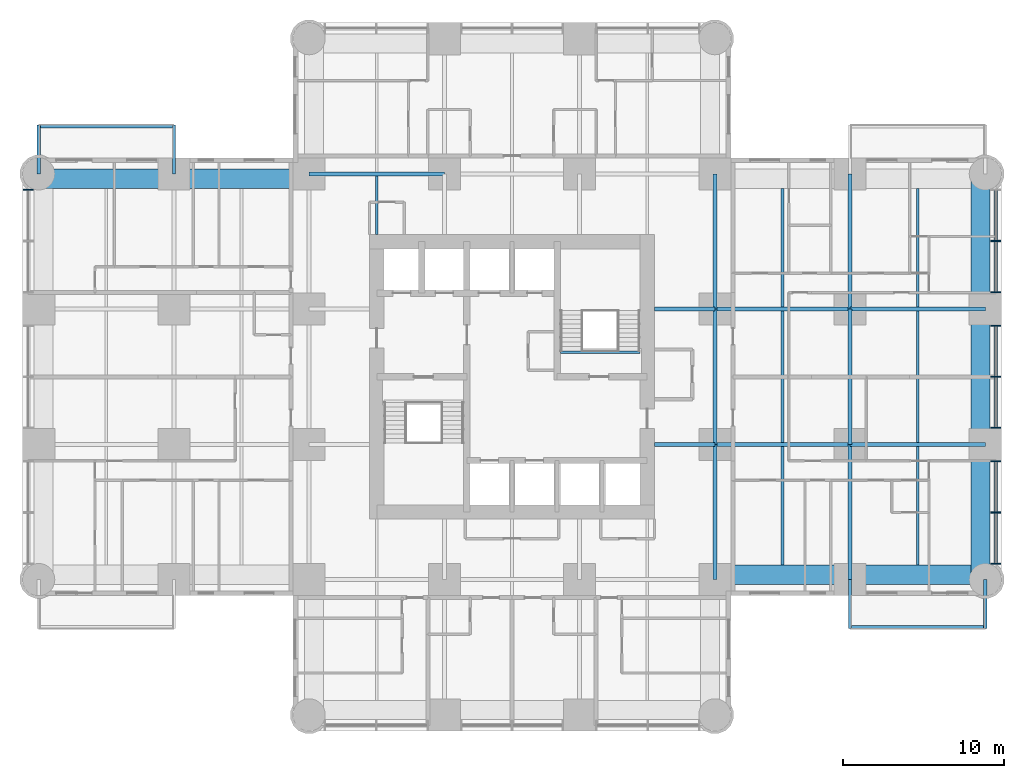
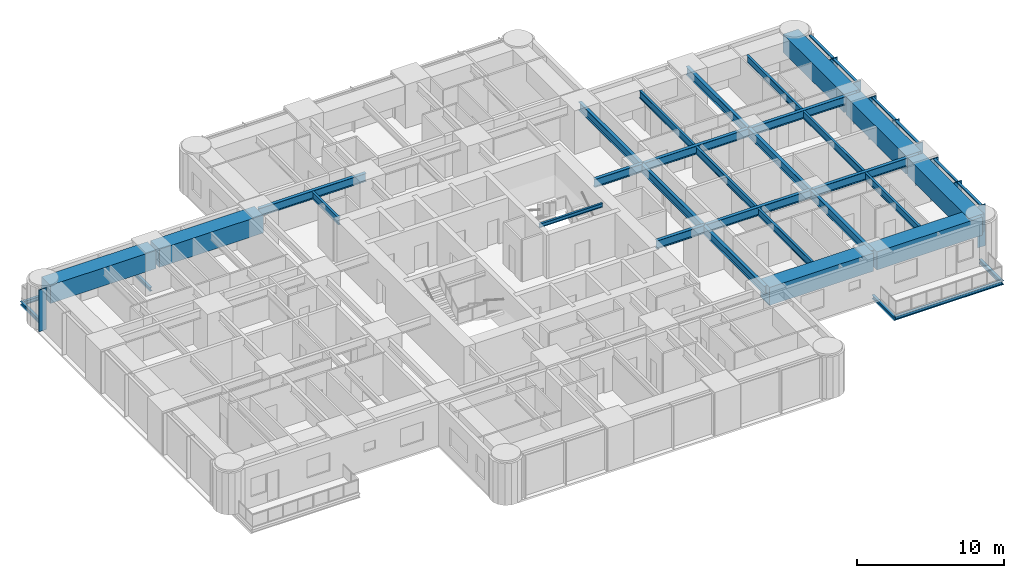
# One storey, part 3 of 14: 34 beams, 15 members, 2 elements without a shape of their own.
"""IFC4 building model written with IfcOpenShell, lengths in metres."""

from ifc_helpers import new_model, si_unit, direction, frame, origin, origin_2d, place, context, subcontext, project, spatial, rectangle, i_section, extrude, material, material_profile, profile_set, type_object, element, aggregate, save


model = new_model("IFC4")

# Units and contexts
model_context = context("Model", 3, precision=1e-05, world=origin(), true_north=direction((0.0, 1.0)))
body_context = subcontext(model_context, "Body", "Model", "MODEL_VIEW")
ifc_project = project(units=[si_unit("LENGTHUNIT", "METRE"), si_unit("AREAUNIT", "SQUARE_METRE"), si_unit("VOLUMEUNIT", "CUBIC_METRE"), si_unit("PLANEANGLEUNIT", "RADIAN"), si_unit("MASSUNIT", "GRAM", prefix="KILO")], contexts=[model_context])

# Site, building, storey
site_placement = place(None, origin())
site = spatial("IfcSite", under=ifc_project, at=site_placement, CompositionType="ELEMENT")
building_placement = place(site_placement, origin())
building = spatial("IfcBuilding", under=site, at=building_placement, Name="Torre Alcanfor", CompositionType="ELEMENT")
storey_placement = place(building_placement, frame((0.0, 0.0, 112.5)))
storey = spatial("IfcBuildingStorey", under=building, at=storey_placement, Name="L28", CompositionType="ELEMENT", Elevation=112.5)

# Beams
ifc_material_1 = material(Name="Steel ASTM A992 Grade 50", Category="steel")
ifc_material_profile_1 = material_profile(ifc_material_1, i_section(OverallWidth=0.205322265625, OverallDepth=0.309814453125, WebThickness=0.00927734375, FlangeThickness=0.016357421875, at=origin_2d()), Name="W12x50")
ifc_profile_set_1 = profile_set([ifc_material_profile_1], Name="Steel ASTM A992 Grade 50")
beam_type_1 = type_object("IfcBeamType", Name="Balcony cantilever beam W12x50", PredefinedType="BEAM", material=ifc_profile_set_1)
for number, where, z_axis, x_axis, name in (
    (1, (50.39990234375, 16.800048828125, -0.35498046875), (0.0, -1.0, 0.0), (1.0, 0.0, 0.0), "Balcony cantilever beam L28-E2 1"),
    (2, (58.800048828125, 16.800048828125, -0.35498046875), (0.0, -1.0, 0.0), (1.0, 0.0, 0.0), "Balcony cantilever beam L28-E2 2"),
    (3, (8.39990234375, 42.0, -0.35498046875), (0.0, 1.0, 0.0), (-1.0, 0.0, 0.0), "Balcony cantilever beam L28-W2 1"),
    (4, (0.0, 42.0, -0.35498046875), (0.0, 1.0, 0.0), (-1.0, 0.0, 0.0), "Balcony cantilever beam L28-W2 2"),
):
    element("IfcBeam", number, at=place(storey_placement, frame(where, z_axis=z_axis, x_axis=x_axis)), inside=storey, type_object=beam_type_1, Name=name, PredefinedType="BEAM", context=body_context, shape_type="SweptSolid", body=[
        extrude(i_section(OverallWidth=0.205322265625, OverallDepth=0.309814453125, WebThickness=0.00927734375, FlangeThickness=0.016357421875, at=origin_2d()), origin(), (0.0, 0.0, 1.0), 3.050048828125),
    ])
ifc_material_2 = material(Name="Steel ASTM A992 Grade 50", Category="steel")
ifc_material_profile_2 = material_profile(ifc_material_2, i_section(OverallWidth=0.203369140625, OverallDepth=0.30224609375, WebThickness=0.007568359375, FlangeThickness=0.01318359375, at=origin_2d()), Name="W12x40")
ifc_profile_set_2 = profile_set([ifc_material_profile_2], Name="Steel ASTM A992 Grade 50")
beam_type_2 = type_object("IfcBeamType", Name="Balcony edge trimmer W12x40", PredefinedType="BEAM", material=ifc_profile_set_2)
beam_1_placement = place(storey_placement, frame((50.39990234375, 13.851806640625, -0.35107421875), z_axis=(1.0, 0.0, 0.0), x_axis=(0.0, 1.0, 0.0)))
element("IfcBeam", 5, at=beam_1_placement, inside=storey, type_object=beam_type_2, Name="Balcony edge trimmer L28-E2", PredefinedType="BEAM", context=body_context, shape_type="SweptSolid", body=[
    extrude(i_section(OverallWidth=0.203369140625, OverallDepth=0.30224609375, WebThickness=0.007568359375, FlangeThickness=0.01318359375, at=origin_2d()), origin(), (0.0, 0.0, 1.0), 8.400146484375),
])
beam_2_placement = place(storey_placement, frame((8.39990234375, 44.9482421875, -0.35107421875), z_axis=(-1.0, 0.0, 0.0), x_axis=(0.0, -1.0, 0.0)))
element("IfcBeam", 6, at=beam_2_placement, inside=storey, type_object=beam_type_2, Name="Balcony edge trimmer L28-W2", PredefinedType="BEAM", context=body_context, shape_type="SweptSolid", body=[
    extrude(i_section(OverallWidth=0.203369140625, OverallDepth=0.30224609375, WebThickness=0.007568359375, FlangeThickness=0.01318359375, at=origin_2d()), origin(), (0.0, 0.0, 1.0), 8.39990234375),
])

# Curtain wall, member
ifc_material_3 = material(Name="Aluminium and glass", Category="aluminium")
curtain_wall_type = type_object("IfcCurtainWallType", Name="CW-A unitised apartment glazing with vertical FIN", PredefinedType="NOTDEFINED", material=ifc_material_3)
curtain_wall_1_placement = place(storey_placement, origin())
curtain_wall_1 = element("IfcCurtainWall", 7, at=curtain_wall_1_placement, inside=storey, type_object=curtain_wall_type, Name="Curtain wall CW-A L28 2", PredefinedType="NOTDEFINED")
ifc_material_4 = material(Name="Bronze anodised aluminium", Category="aluminium")
ifc_material_profile_3 = material_profile(ifc_material_4, rectangle(XDim=0.60009765625, YDim=0.06494140625, at=origin_2d()), Name="CW-A mullion 65x600")
ifc_profile_set_3 = profile_set([ifc_material_profile_3], Name="Bronze anodised aluminium")
member_type_1 = type_object("IfcMemberType", Name="CW-A mullion with vertical FIN 65x600", PredefinedType="MULLION", material=ifc_profile_set_3)
member_1_placement = place(storey_placement, frame((-0.64990234375, 41.025390625, 0.0), z_axis=(0.0, 0.0, 1.0), x_axis=(1.0, 0.0, 0.0)))
member_1 = element("IfcMember", 8, at=member_1_placement, type_object=member_type_1, Name="CW-A mullion 1.1", PredefinedType="MULLION", context=body_context, shape_type="SweptSolid", body=[
    extrude(rectangle(XDim=0.60009765625, YDim=0.06494140625, at=origin_2d()), origin(), (0.0, 0.0, 1.0), 3.449951171875),
])
aggregate(curtain_wall_1, [member_1])

# Curtain wall, members
curtain_wall_2_placement = place(storey_placement, origin())
curtain_wall_2 = element("IfcCurtainWall", 9, at=curtain_wall_2_placement, inside=storey, type_object=curtain_wall_type, Name="Curtain wall CW-A L28 8", PredefinedType="NOTDEFINED")
member_2_placement = place(storey_placement, frame((59.449951171875, 17.7744140625, 0.0), z_axis=(0.0, 0.0, 1.0), x_axis=(-1.0, 0.0, 0.0)))
member_2 = element("IfcMember", 10, at=member_2_placement, type_object=member_type_1, Name="CW-A mullion 1.1", PredefinedType="MULLION", context=body_context, shape_type="SweptSolid", body=[
    extrude(rectangle(XDim=0.60009765625, YDim=0.06494140625, at=origin_2d()), origin(), (0.0, 0.0, 1.0), 3.449951171875),
])
member_3_placement = place(storey_placement, frame((59.449951171875, 20.968505859375, 0.0), z_axis=(0.0, 0.0, 1.0), x_axis=(-1.0, 0.0, 0.0)))
member_3 = element("IfcMember", 11, at=member_3_placement, type_object=member_type_1, Name="CW-A mullion 1.2", PredefinedType="MULLION", context=body_context, shape_type="SweptSolid", body=[
    extrude(rectangle(XDim=0.60009765625, YDim=0.06494140625, at=origin_2d()), origin(), (0.0, 0.0, 1.0), 3.449951171875),
])
member_4_placement = place(storey_placement, frame((59.449951171875, 24.16259765625, 0.0), z_axis=(0.0, 0.0, 1.0), x_axis=(-1.0, 0.0, 0.0)))
member_4 = element("IfcMember", 12, at=member_4_placement, type_object=member_type_1, Name="CW-A mullion 1.3", PredefinedType="MULLION", context=body_context, shape_type="SweptSolid", body=[
    extrude(rectangle(XDim=0.60009765625, YDim=0.06494140625, at=origin_2d()), origin(), (0.0, 0.0, 1.0), 3.449951171875),
])
member_5_placement = place(storey_placement, frame((59.449951171875, 26.237548828125, 0.0), z_axis=(0.0, 0.0, 1.0), x_axis=(-1.0, 0.0, 0.0)))
member_5 = element("IfcMember", 13, at=member_5_placement, type_object=member_type_1, Name="CW-A mullion 2.1", PredefinedType="MULLION", context=body_context, shape_type="SweptSolid", body=[
    extrude(rectangle(XDim=0.60009765625, YDim=0.06494140625, at=origin_2d()), origin(), (0.0, 0.0, 1.0), 3.449951171875),
])
member_6_placement = place(storey_placement, frame((59.449951171875, 29.39990234375, 0.0), z_axis=(0.0, 0.0, 1.0), x_axis=(-1.0, 0.0, 0.0)))
member_6 = element("IfcMember", 14, at=member_6_placement, type_object=member_type_1, Name="CW-A mullion 2.2", PredefinedType="MULLION", context=body_context, shape_type="SweptSolid", body=[
    extrude(rectangle(XDim=0.60009765625, YDim=0.06494140625, at=origin_2d()), origin(), (0.0, 0.0, 1.0), 3.449951171875),
])
member_7_placement = place(storey_placement, frame((59.449951171875, 32.5625, 0.0), z_axis=(0.0, 0.0, 1.0), x_axis=(-1.0, 0.0, 0.0)))
member_7 = element("IfcMember", 15, at=member_7_placement, type_object=member_type_1, Name="CW-A mullion 2.3", PredefinedType="MULLION", context=body_context, shape_type="SweptSolid", body=[
    extrude(rectangle(XDim=0.60009765625, YDim=0.06494140625, at=origin_2d()), origin(), (0.0, 0.0, 1.0), 3.449951171875),
])
member_8_placement = place(storey_placement, frame((59.449951171875, 34.637451171875, 0.0), z_axis=(0.0, 0.0, 1.0), x_axis=(-1.0, 0.0, 0.0)))
member_8 = element("IfcMember", 16, at=member_8_placement, type_object=member_type_1, Name="CW-A mullion 3.1", PredefinedType="MULLION", context=body_context, shape_type="SweptSolid", body=[
    extrude(rectangle(XDim=0.60009765625, YDim=0.06494140625, at=origin_2d()), origin(), (0.0, 0.0, 1.0), 3.449951171875),
])
member_9_placement = place(storey_placement, frame((59.449951171875, 37.83154296875, 0.0), z_axis=(0.0, 0.0, 1.0), x_axis=(-1.0, 0.0, 0.0)))
member_9 = element("IfcMember", 17, at=member_9_placement, type_object=member_type_1, Name="CW-A mullion 3.2", PredefinedType="MULLION", context=body_context, shape_type="SweptSolid", body=[
    extrude(rectangle(XDim=0.60009765625, YDim=0.06494140625, at=origin_2d()), origin(), (0.0, 0.0, 1.0), 3.449951171875),
])
ifc_material_5 = material(Name="Extruded aluminium", Category="aluminium")
ifc_material_profile_4 = material_profile(ifc_material_5, rectangle(XDim=0.199951171875, YDim=0.06494140625, at=origin_2d()), Name="CW-A transom 200x65")
ifc_profile_set_4 = profile_set([ifc_material_profile_4], Name="Extruded aluminium")
member_type_2 = type_object("IfcMemberType", Name="CW-A transom 65x200", PredefinedType="USERDEFINED", material=ifc_profile_set_4)
member_10_placement = place(storey_placement, frame((59.449951171875, 17.806884765625, 3.41748046875), z_axis=(0.0, 1.0, 0.0), x_axis=(-1.0, 0.0, 0.0)))
member_10 = element("IfcMember", 18, at=member_10_placement, type_object=member_type_2, Name="CW-A transom 1.1.2", ObjectType="TRANSOM", PredefinedType="USERDEFINED", context=body_context, shape_type="SweptSolid", body=[
    extrude(rectangle(XDim=0.199951171875, YDim=0.06494140625, at=origin_2d()), origin(), (0.0, 0.0, 1.0), 3.129150390625),
])
member_11_placement = place(storey_placement, frame((59.449951171875, 21.0009765625, 3.41748046875), z_axis=(0.0, 1.0, 0.0), x_axis=(-1.0, 0.0, 0.0)))
member_11 = element("IfcMember", 19, at=member_11_placement, type_object=member_type_2, Name="CW-A transom 1.2.2", ObjectType="TRANSOM", PredefinedType="USERDEFINED", context=body_context, shape_type="SweptSolid", body=[
    extrude(rectangle(XDim=0.199951171875, YDim=0.06494140625, at=origin_2d()), origin(), (0.0, 0.0, 1.0), 3.12890625),
])
member_12_placement = place(storey_placement, frame((59.449951171875, 26.27001953125, 3.41748046875), z_axis=(0.0, 1.0, 0.0), x_axis=(-1.0, 0.0, 0.0)))
member_12 = element("IfcMember", 20, at=member_12_placement, type_object=member_type_2, Name="CW-A transom 2.1.2", ObjectType="TRANSOM", PredefinedType="USERDEFINED", context=body_context, shape_type="SweptSolid", body=[
    extrude(rectangle(XDim=0.199951171875, YDim=0.06494140625, at=origin_2d()), origin(), (0.0, 0.0, 1.0), 3.097412109375),
])
member_13_placement = place(storey_placement, frame((59.449951171875, 29.4326171875, 3.41748046875), z_axis=(0.0, 1.0, 0.0), x_axis=(-1.0, 0.0, 0.0)))
member_13 = element("IfcMember", 21, at=member_13_placement, type_object=member_type_2, Name="CW-A transom 2.2.2", ObjectType="TRANSOM", PredefinedType="USERDEFINED", context=body_context, shape_type="SweptSolid", body=[
    extrude(rectangle(XDim=0.199951171875, YDim=0.06494140625, at=origin_2d()), origin(), (0.0, 0.0, 1.0), 3.097412109375),
])
member_14_placement = place(storey_placement, frame((59.449951171875, 34.669921875, 3.41748046875), z_axis=(0.0, 1.0, 0.0), x_axis=(-1.0, 0.0, 0.0)))
member_14 = element("IfcMember", 22, at=member_14_placement, type_object=member_type_2, Name="CW-A transom 3.1.2", ObjectType="TRANSOM", PredefinedType="USERDEFINED", context=body_context, shape_type="SweptSolid", body=[
    extrude(rectangle(XDim=0.199951171875, YDim=0.06494140625, at=origin_2d()), origin(), (0.0, 0.0, 1.0), 3.129150390625),
])
member_15_placement = place(storey_placement, frame((59.449951171875, 37.864013671875, 3.41748046875), z_axis=(0.0, 1.0, 0.0), x_axis=(-1.0, 0.0, 0.0)))
member_15 = element("IfcMember", 23, at=member_15_placement, type_object=member_type_2, Name="CW-A transom 3.2.2", ObjectType="TRANSOM", PredefinedType="USERDEFINED", context=body_context, shape_type="SweptSolid", body=[
    extrude(rectangle(XDim=0.199951171875, YDim=0.06494140625, at=origin_2d()), origin(), (0.0, 0.0, 1.0), 3.12890625),
])
aggregate(curtain_wall_2, [member_2, member_3, member_4, member_10, member_11, member_5, member_6, member_7, member_12, member_13, member_8, member_9, member_14, member_15])

# Beams
ifc_material_6 = material(Name="Steel ASTM A992 Grade 50", Category="steel")
ifc_material_profile_5 = material_profile(ifc_material_6, i_section(OverallWidth=0.25390625, OverallDepth=0.683349609375, WebThickness=0.012451171875, FlangeThickness=0.01904296875, at=origin_2d()), Name="W27x94")
ifc_profile_set_5 = profile_set([ifc_material_profile_5], Name="Steel ASTM A992 Grade 50")
beam_type_3 = type_object("IfcBeamType", Name="Girder W27x94", PredefinedType="BEAM", material=ifc_profile_set_5)
beam_3_placement = place(storey_placement, frame((42.0, 25.199951171875, 3.1083984375), z_axis=(1.0, 0.0, 0.0), x_axis=(0.0, 1.0, 0.0)))
element("IfcBeam", 24, at=beam_3_placement, inside=storey, type_object=beam_type_3, Name="Beam 6F-7F under L29", PredefinedType="BEAM", context=body_context, shape_type="SweptSolid", body=[
    extrude(i_section(OverallWidth=0.25390625, OverallDepth=0.683349609375, WebThickness=0.012451171875, FlangeThickness=0.01904296875, at=origin_2d()), origin(), (0.0, 0.0, 1.0), 8.39990234375),
])
beam_4_placement = place(storey_placement, frame((50.39990234375, 25.199951171875, 3.1083984375), z_axis=(1.0, 0.0, 0.0), x_axis=(0.0, 1.0, 0.0)))
element("IfcBeam", 25, at=beam_4_placement, inside=storey, type_object=beam_type_3, Name="Beam 7F-8F under L29", PredefinedType="BEAM", context=body_context, shape_type="SweptSolid", body=[
    extrude(i_section(OverallWidth=0.25390625, OverallDepth=0.683349609375, WebThickness=0.012451171875, FlangeThickness=0.01904296875, at=origin_2d()), origin(), (0.0, 0.0, 1.0), 8.400146484375),
])
beam_5_placement = place(storey_placement, frame((42.0, 33.60009765625, 3.1083984375), z_axis=(1.0, 0.0, 0.0), x_axis=(0.0, 1.0, 0.0)))
element("IfcBeam", 26, at=beam_5_placement, inside=storey, type_object=beam_type_3, Name="Beam 6G-7G under L29", PredefinedType="BEAM", context=body_context, shape_type="SweptSolid", body=[
    extrude(i_section(OverallWidth=0.25390625, OverallDepth=0.683349609375, WebThickness=0.012451171875, FlangeThickness=0.01904296875, at=origin_2d()), origin(), (0.0, 0.0, 1.0), 8.39990234375),
])
beam_6_placement = place(storey_placement, frame((50.39990234375, 33.60009765625, 3.1083984375), z_axis=(1.0, 0.0, 0.0), x_axis=(0.0, 1.0, 0.0)))
element("IfcBeam", 27, at=beam_6_placement, inside=storey, type_object=beam_type_3, Name="Beam 7G-8G under L29", PredefinedType="BEAM", context=body_context, shape_type="SweptSolid", body=[
    extrude(i_section(OverallWidth=0.25390625, OverallDepth=0.683349609375, WebThickness=0.012451171875, FlangeThickness=0.01904296875, at=origin_2d()), origin(), (0.0, 0.0, 1.0), 8.400146484375),
])
for number, where, z_axis, x_axis, name in (
    (28, (16.800048828125, 42.0, 3.1083984375), (1.0, 0.0, 0.0), (0.0, 1.0, 0.0), "Beam 3H-4H under L29"),
    (29, (42.0, 16.800048828125, 3.1083984375), (0.0, 1.0, 0.0), (-1.0, 0.0, 0.0), "Beam 6E-6F under L29"),
):
    element("IfcBeam", number, at=place(storey_placement, frame(where, z_axis=z_axis, x_axis=x_axis)), inside=storey, type_object=beam_type_3, Name=name, PredefinedType="BEAM", context=body_context, shape_type="SweptSolid", body=[
        extrude(i_section(OverallWidth=0.25390625, OverallDepth=0.683349609375, WebThickness=0.012451171875, FlangeThickness=0.01904296875, at=origin_2d()), origin(), (0.0, 0.0, 1.0), 8.39990234375),
    ])
beam_7_placement = place(storey_placement, frame((42.0, 25.199951171875, 3.1083984375), z_axis=(0.0, 1.0, 0.0), x_axis=(-1.0, 0.0, 0.0)))
element("IfcBeam", 30, at=beam_7_placement, inside=storey, type_object=beam_type_3, Name="Beam 6F-6G under L29", PredefinedType="BEAM", context=body_context, shape_type="SweptSolid", body=[
    extrude(i_section(OverallWidth=0.25390625, OverallDepth=0.683349609375, WebThickness=0.012451171875, FlangeThickness=0.01904296875, at=origin_2d()), origin(), (0.0, 0.0, 1.0), 8.400146484375),
])
for number, where, z_axis, x_axis, name in (
    (31, (42.0, 33.60009765625, 3.1083984375), (0.0, 1.0, 0.0), (-1.0, 0.0, 0.0), "Beam 6G-6H under L29"),
    (32, (50.39990234375, 16.800048828125, 3.1083984375), (0.0, 1.0, 0.0), (-1.0, 0.0, 0.0), "Beam 7E-7F under L29"),
):
    element("IfcBeam", number, at=place(storey_placement, frame(where, z_axis=z_axis, x_axis=x_axis)), inside=storey, type_object=beam_type_3, Name=name, PredefinedType="BEAM", context=body_context, shape_type="SweptSolid", body=[
        extrude(i_section(OverallWidth=0.25390625, OverallDepth=0.683349609375, WebThickness=0.012451171875, FlangeThickness=0.01904296875, at=origin_2d()), origin(), (0.0, 0.0, 1.0), 8.39990234375),
    ])
beam_8_placement = place(storey_placement, frame((50.39990234375, 25.199951171875, 3.1083984375), z_axis=(0.0, 1.0, 0.0), x_axis=(-1.0, 0.0, 0.0)))
element("IfcBeam", 33, at=beam_8_placement, inside=storey, type_object=beam_type_3, Name="Beam 7F-7G under L29", PredefinedType="BEAM", context=body_context, shape_type="SweptSolid", body=[
    extrude(i_section(OverallWidth=0.25390625, OverallDepth=0.683349609375, WebThickness=0.012451171875, FlangeThickness=0.01904296875, at=origin_2d()), origin(), (0.0, 0.0, 1.0), 8.400146484375),
])
beam_9_placement = place(storey_placement, frame((50.39990234375, 33.60009765625, 3.1083984375), z_axis=(0.0, 1.0, 0.0), x_axis=(-1.0, 0.0, 0.0)))
element("IfcBeam", 34, at=beam_9_placement, inside=storey, type_object=beam_type_3, Name="Beam 7G-7H under L29", PredefinedType="BEAM", context=body_context, shape_type="SweptSolid", body=[
    extrude(i_section(OverallWidth=0.25390625, OverallDepth=0.683349609375, WebThickness=0.012451171875, FlangeThickness=0.01904296875, at=origin_2d()), origin(), (0.0, 0.0, 1.0), 8.39990234375),
])
ifc_material_7 = material(Name="Steel ASTM A992 Grade 50", Category="steel")
ifc_material_profile_6 = material_profile(ifc_material_7, i_section(OverallWidth=0.25390625, OverallDepth=0.683349609375, WebThickness=0.012451171875, FlangeThickness=0.01904296875, at=origin_2d()), Name="W27x94")
ifc_profile_set_6 = profile_set([ifc_material_profile_6], Name="Steel ASTM A992 Grade 50")
beam_type_4 = type_object("IfcBeamType", Name="Girder, part bay W27x94", PredefinedType="BEAM", material=ifc_profile_set_6)
for number, where, z_axis, x_axis, name in (
    (35, (42.0, 25.199951171875, 3.1083984375), (-1.0, 0.0, 0.0), (0.0, -1.0, 0.0), "Beam 6F-38_25F under L29"),
    (36, (42.0, 33.60009765625, 3.1083984375), (-1.0, 0.0, 0.0), (0.0, -1.0, 0.0), "Beam 6G-38_25G under L29"),
):
    element("IfcBeam", number, at=place(storey_placement, frame(where, z_axis=z_axis, x_axis=x_axis)), inside=storey, type_object=beam_type_4, Name=name, PredefinedType="BEAM", context=body_context, shape_type="SweptSolid", body=[
        extrude(i_section(OverallWidth=0.25390625, OverallDepth=0.683349609375, WebThickness=0.012451171875, FlangeThickness=0.01904296875, at=origin_2d()), origin(), (0.0, 0.0, 1.0), 3.75),
    ])
ifc_material_8 = material(Name="Concrete f'c 70 MPa", Category="concrete")
ifc_material_profile_7 = material_profile(ifc_material_8, rectangle(XDim=1.199951171875, YDim=1.5, at=origin_2d()), Name="1200x1500")
ifc_profile_set_7 = profile_set([ifc_material_profile_7], Name="Concrete f'c 70 MPa")
beam_type_5 = type_object("IfcBeamType", Name="RC perimeter beam 1200x1500", PredefinedType="BEAM", material=ifc_profile_set_7)
beam_10_placement = place(storey_placement, frame((42.126953125, 17.10009765625, 2.699951171875), z_axis=(1.0, 0.0, 0.0), x_axis=(0.0, 1.0, 0.0)))
element("IfcBeam", 37, at=beam_10_placement, inside=storey, type_object=beam_type_5, Name="Beam 6E-7E under L29", PredefinedType="BEAM", context=body_context, shape_type="SweptSolid", body=[
    extrude(rectangle(XDim=1.199951171875, YDim=1.5, at=origin_2d()), origin(), (0.0, 0.0, 1.0), 8.14599609375),
])
for number, where, z_axis, x_axis, name in (
    (38, (50.527099609375, 17.10009765625, 2.699951171875), (1.0, 0.0, 0.0), (0.0, 1.0, 0.0), "Beam 7E-8E under L29"),
    (39, (0.0, 41.699951171875, 2.699951171875), (1.0, 0.0, 0.0), (0.0, 1.0, 0.0), "Beam 1H-2H under L29"),
):
    element("IfcBeam", number, at=place(storey_placement, frame(where, z_axis=z_axis, x_axis=x_axis)), inside=storey, type_object=beam_type_5, Name=name, PredefinedType="BEAM", context=body_context, shape_type="SweptSolid", body=[
        extrude(rectangle(XDim=1.199951171875, YDim=1.5, at=origin_2d()), origin(), (0.0, 0.0, 1.0), 8.27294921875),
    ])
beam_11_placement = place(storey_placement, frame((8.527099609375, 41.699951171875, 2.699951171875), z_axis=(1.0, 0.0, 0.0), x_axis=(0.0, 1.0, 0.0)))
element("IfcBeam", 40, at=beam_11_placement, inside=storey, type_object=beam_type_5, Name="Beam 2H-3H under L29", PredefinedType="BEAM", context=body_context, shape_type="SweptSolid", body=[
    extrude(rectangle(XDim=1.199951171875, YDim=1.5, at=origin_2d()), origin(), (0.0, 0.0, 1.0), 8.14599609375),
])
beam_12_placement = place(storey_placement, frame((58.5, 16.800048828125, 2.699951171875), z_axis=(0.0, 1.0, 0.0), x_axis=(-1.0, 0.0, 0.0)))
element("IfcBeam", 41, at=beam_12_placement, inside=storey, type_object=beam_type_5, Name="Beam 8E-8F under L29", PredefinedType="BEAM", context=body_context, shape_type="SweptSolid", body=[
    extrude(rectangle(XDim=1.199951171875, YDim=1.5, at=origin_2d()), origin(), (0.0, 0.0, 1.0), 8.27294921875),
])
beam_13_placement = place(storey_placement, frame((58.5, 25.326904296875, 2.699951171875), z_axis=(0.0, 1.0, 0.0), x_axis=(-1.0, 0.0, 0.0)))
element("IfcBeam", 42, at=beam_13_placement, inside=storey, type_object=beam_type_5, Name="Beam 8F-8G under L29", PredefinedType="BEAM", context=body_context, shape_type="SweptSolid", body=[
    extrude(rectangle(XDim=1.199951171875, YDim=1.5, at=origin_2d()), origin(), (0.0, 0.0, 1.0), 8.14599609375),
])
beam_14_placement = place(storey_placement, frame((58.5, 33.72705078125, 2.699951171875), z_axis=(0.0, 1.0, 0.0), x_axis=(-1.0, 0.0, 0.0)))
element("IfcBeam", 43, at=beam_14_placement, inside=storey, type_object=beam_type_5, Name="Beam 8G-8H under L29", PredefinedType="BEAM", context=body_context, shape_type="SweptSolid", body=[
    extrude(rectangle(XDim=1.199951171875, YDim=1.5, at=origin_2d()), origin(), (0.0, 0.0, 1.0), 8.27294921875),
])
ifc_material_9 = material(Name="Steel ASTM A992 Grade 50", Category="steel")
ifc_material_profile_8 = material_profile(ifc_material_9, i_section(OverallWidth=0.1787109375, OverallDepth=0.60205078125, WebThickness=0.010986328125, FlangeThickness=0.014892578125, at=origin_2d()), Name="W24x62")
ifc_profile_set_8 = profile_set([ifc_material_profile_8], Name="Steel ASTM A992 Grade 50")
beam_type_6 = type_object("IfcBeamType", Name="Secondary beam W24x62", PredefinedType="BEAM", material=ifc_profile_set_8)
beam_15_placement = place(storey_placement, frame((46.199951171875, 17.699951171875, 3.14892578125), z_axis=(0.0, 1.0, 0.0), x_axis=(-1.0, 0.0, 0.0)))
element("IfcBeam", 44, at=beam_15_placement, inside=storey, type_object=beam_type_6, Name="Beam 46_2E-46_2F under L29", PredefinedType="BEAM", context=body_context, shape_type="SweptSolid", body=[
    extrude(i_section(OverallWidth=0.1787109375, OverallDepth=0.60205078125, WebThickness=0.010986328125, FlangeThickness=0.014892578125, at=origin_2d()), origin(), (0.0, 0.0, 1.0), 7.373046875),
])
beam_16_placement = place(storey_placement, frame((46.199951171875, 25.326904296875, 3.14892578125), z_axis=(0.0, 1.0, 0.0), x_axis=(-1.0, 0.0, 0.0)))
element("IfcBeam", 45, at=beam_16_placement, inside=storey, type_object=beam_type_6, Name="Beam 46_2F-46_2G under L29", PredefinedType="BEAM", context=body_context, shape_type="SweptSolid", body=[
    extrude(i_section(OverallWidth=0.1787109375, OverallDepth=0.60205078125, WebThickness=0.010986328125, FlangeThickness=0.014892578125, at=origin_2d()), origin(), (0.0, 0.0, 1.0), 8.14599609375),
])
for number, where, z_axis, x_axis, name in (
    (46, (46.199951171875, 33.72705078125, 3.14892578125), (0.0, 1.0, 0.0), (-1.0, 0.0, 0.0), "Beam 46_2G-46_2H under L29"),
    (47, (54.60009765625, 17.699951171875, 3.14892578125), (0.0, 1.0, 0.0), (-1.0, 0.0, 0.0), "Beam 54_6E-54_6F under L29"),
):
    element("IfcBeam", number, at=place(storey_placement, frame(where, z_axis=z_axis, x_axis=x_axis)), inside=storey, type_object=beam_type_6, Name=name, PredefinedType="BEAM", context=body_context, shape_type="SweptSolid", body=[
        extrude(i_section(OverallWidth=0.1787109375, OverallDepth=0.60205078125, WebThickness=0.010986328125, FlangeThickness=0.014892578125, at=origin_2d()), origin(), (0.0, 0.0, 1.0), 7.373046875),
    ])
beam_17_placement = place(storey_placement, frame((54.60009765625, 25.326904296875, 3.14892578125), z_axis=(0.0, 1.0, 0.0), x_axis=(-1.0, 0.0, 0.0)))
element("IfcBeam", 48, at=beam_17_placement, inside=storey, type_object=beam_type_6, Name="Beam 54_6F-54_6G under L29", PredefinedType="BEAM", context=body_context, shape_type="SweptSolid", body=[
    extrude(i_section(OverallWidth=0.1787109375, OverallDepth=0.60205078125, WebThickness=0.010986328125, FlangeThickness=0.014892578125, at=origin_2d()), origin(), (0.0, 0.0, 1.0), 8.14599609375),
])
beam_18_placement = place(storey_placement, frame((54.60009765625, 33.72705078125, 3.14892578125), z_axis=(0.0, 1.0, 0.0), x_axis=(-1.0, 0.0, 0.0)))
element("IfcBeam", 49, at=beam_18_placement, inside=storey, type_object=beam_type_6, Name="Beam 54_6G-54_6H under L29", PredefinedType="BEAM", context=body_context, shape_type="SweptSolid", body=[
    extrude(i_section(OverallWidth=0.1787109375, OverallDepth=0.60205078125, WebThickness=0.010986328125, FlangeThickness=0.014892578125, at=origin_2d()), origin(), (0.0, 0.0, 1.0), 7.373046875),
])
ifc_material_10 = material(Name="Steel ASTM A992 Grade 50", Category="steel")
ifc_material_profile_9 = material_profile(ifc_material_10, i_section(OverallWidth=0.1787109375, OverallDepth=0.60205078125, WebThickness=0.010986328125, FlangeThickness=0.014892578125, at=origin_2d()), Name="W24x62")
ifc_profile_set_9 = profile_set([ifc_material_profile_9], Name="Steel ASTM A992 Grade 50")
beam_type_7 = type_object("IfcBeamType", Name="Secondary beam, part bay W24x62", PredefinedType="BEAM", material=ifc_profile_set_9)
beam_19_placement = place(storey_placement, frame((21.0, 38.25, 3.14892578125), z_axis=(0.0, 1.0, 0.0), x_axis=(-1.0, 0.0, 0.0)))
element("IfcBeam", 50, at=beam_19_placement, inside=storey, type_object=beam_type_7, Name="Beam 2138_25-21H under L29", PredefinedType="BEAM", context=body_context, shape_type="SweptSolid", body=[
    extrude(i_section(OverallWidth=0.1787109375, OverallDepth=0.60205078125, WebThickness=0.010986328125, FlangeThickness=0.014892578125, at=origin_2d()), origin(), (0.0, 0.0, 1.0), 3.623046875),
])
ifc_material_11 = material(Name="Steel ASTM A992 Grade 50", Category="steel")
ifc_material_profile_10 = material_profile(ifc_material_11, i_section(OverallWidth=0.164794921875, OverallDepth=0.309814453125, WebThickness=0.005859375, FlangeThickness=0.009765625, at=origin_2d()), Name="W12x26")
ifc_profile_set_10 = profile_set([ifc_material_profile_10], Name="Steel ASTM A992 Grade 50")
beam_type_8 = type_object("IfcBeamType", Name="Stair landing beam W12x26", PredefinedType="BEAM", material=ifc_profile_set_10)
beam_20_placement = place(storey_placement, frame((32.39990234375, 30.91259765625, 3.2451171875), z_axis=(1.0, 0.0, 0.0), x_axis=(0.0, 1.0, 0.0)))
element("IfcBeam", 51, at=beam_20_placement, inside=storey, type_object=beam_type_8, Name="Landing trimmer S2 L29", PredefinedType="BEAM", context=body_context, shape_type="SweptSolid", body=[
    extrude(i_section(OverallWidth=0.164794921875, OverallDepth=0.309814453125, WebThickness=0.005859375, FlangeThickness=0.009765625, at=origin_2d()), origin(), (0.0, 0.0, 1.0), 4.9501953125),
])

save(model, "model.ifc")
